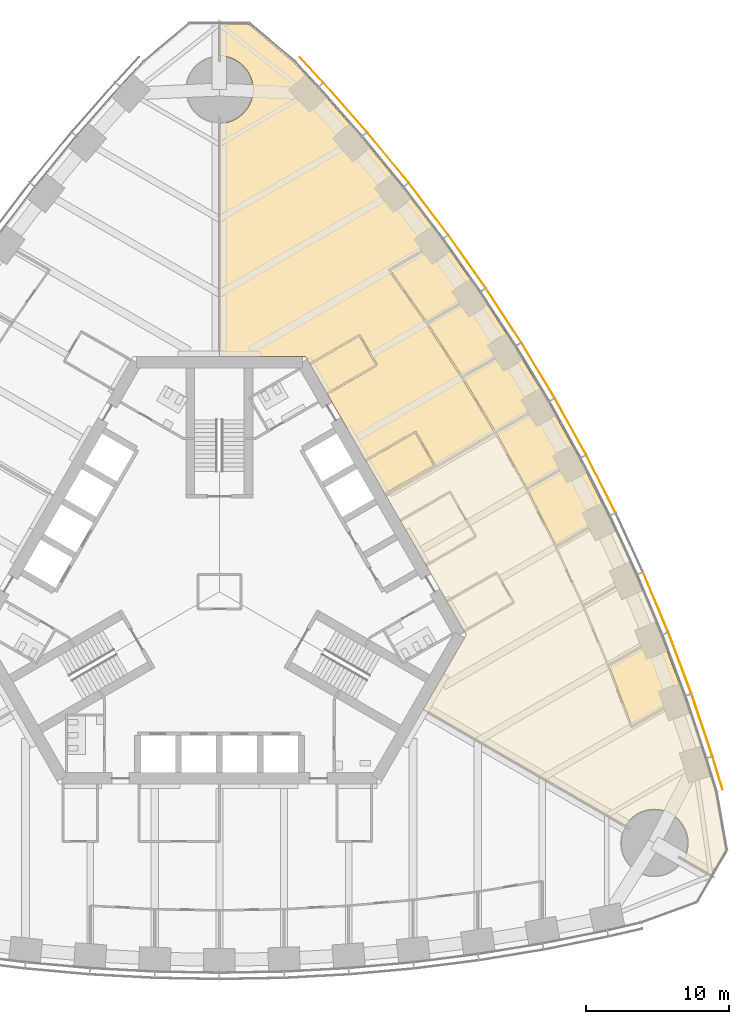
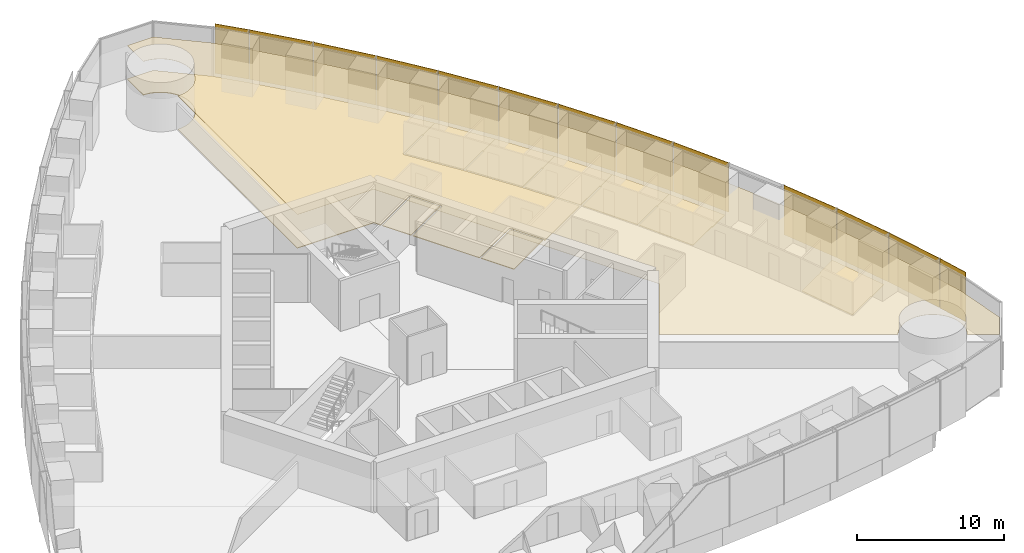
# One storey, part 17 of 19: 13 shading devices, 10 coverings.
"""IFC4 building model written with IfcOpenShell, lengths in metres."""

from ifc_helpers import new_model, si_unit, direction, frame, origin, origin_2d, place, context, subcontext, project, spatial, polyline, rectangle, outline, extrude, material, layer, layer_set, type_object, element, save


model = new_model("IFC4")

# Units and contexts
model_context = context("Model", 3, precision=1e-05, world=origin(), true_north=direction((0.0, 1.0)))
body_context = subcontext(model_context, "Body", "Model", "MODEL_VIEW")
ifc_project = project(units=[si_unit("LENGTHUNIT", "METRE"), si_unit("AREAUNIT", "SQUARE_METRE"), si_unit("VOLUMEUNIT", "CUBIC_METRE"), si_unit("PLANEANGLEUNIT", "RADIAN"), si_unit("MASSUNIT", "GRAM", prefix="KILO")], contexts=[model_context])

# Site, building, storey
site_placement = place(None, origin())
site = spatial("IfcSite", under=ifc_project, at=site_placement, CompositionType="ELEMENT")
building_placement = place(site_placement, origin())
building = spatial("IfcBuilding", under=site, at=building_placement, Name="Trefoil Bronze Tower", CompositionType="ELEMENT")
storey_placement = place(building_placement, frame((0.0, 0.0, 107.300048828125)))
storey = spatial("IfcBuildingStorey", under=building, at=storey_placement, Name="L24", CompositionType="ELEMENT", Elevation=107.300048828125)

# Shading devices
ifc_material_1 = material(Name="Perforated bronze sheet", Category="bronze")
ifc_layer_1 = layer(ifc_material_1, 0.0400390625)
ifc_layer_set_1 = layer_set([ifc_layer_1], Name="Bronze solar screen panel")
shading_device_type = type_object("IfcShadingDeviceType", Name="Bronze solar screen panel", PredefinedType="SHUTTER", material=ifc_layer_set_1)
shading_device_1_placement = place(storey_placement, frame((34.717529296875, -12.634765625, 0.0498046875), z_axis=(0.0, 0.0, 1.0), x_axis=(-0.291668676391, 0.956519410787, 0.0)))
element("IfcShadingDevice", 1, at=shading_device_1_placement, inside=storey, type_object=shading_device_type, Name="Solar screen CW-A L24 F2 bay 1", PredefinedType="SHUTTER", context=body_context, shape_type="SweptSolid", body=[
    extrude(rectangle(XDim=2.39013671875, YDim=0.0400390625, at=origin_2d()), origin(), (0.0, 0.0, 1.0), 4.10009765625),
])
shading_device_2_placement = place(storey_placement, frame((33.62890625, -9.286865234375, 0.0498046875), z_axis=(0.0, 0.0, 1.0), x_axis=(-0.318403749569, 0.947955195281, 0.0)))
element("IfcShadingDevice", 2, at=shading_device_2_placement, inside=storey, type_object=shading_device_type, Name="Solar screen CW-A L24 F2 bay 2", PredefinedType="SHUTTER", context=body_context, shape_type="SweptSolid", body=[
    extrude(rectangle(XDim=4.56103515625, YDim=0.0400390625, at=origin_2d()), origin(), (0.0, 0.0, 1.0), 4.10009765625),
])
shading_device_3_placement = place(storey_placement, frame((32.086669921875, -4.95849609375, 0.0498046875), z_axis=(0.0, 0.0, 1.0), x_axis=(-0.352919739707, 0.935653599002, 0.0)))
element("IfcShadingDevice", 3, at=shading_device_3_placement, inside=storey, type_object=shading_device_type, Name="Solar screen CW-A L24 F2 bay 3", PredefinedType="SHUTTER", context=body_context, shape_type="SweptSolid", body=[
    extrude(rectangle(XDim=4.5302734375, YDim=0.0400390625, at=origin_2d()), origin(), (0.0, 0.0, 1.0), 4.10009765625),
])
shading_device_4_placement = place(storey_placement, frame((30.3974609375, -0.715087890625, 0.0498046875), z_axis=(0.0, 0.0, 1.0), x_axis=(-0.386759234303, 0.922180727776, 0.0)))
element("IfcShadingDevice", 4, at=shading_device_4_placement, inside=storey, type_object=shading_device_type, Name="Solar screen CW-A L24 F2 bay 4", PredefinedType="SHUTTER", context=body_context, shape_type="SweptSolid", body=[
    extrude(rectangle(XDim=4.50634765625, YDim=0.0400390625, at=origin_2d()), origin(), (0.0, 0.0, 1.0), 4.10009765625),
])
shading_device_5_placement = place(storey_placement, frame((26.5869140625, 7.52197265625, 0.0498046875), z_axis=(0.0, 0.0, 1.0), x_axis=(-0.452448919686, 0.891790320128, 0.0)))
element("IfcShadingDevice", 5, at=shading_device_5_placement, inside=storey, type_object=shading_device_type, Name="Solar screen CW-A L24 F2 bay 6", PredefinedType="SHUTTER", context=body_context, shape_type="SweptSolid", body=[
    extrude(rectangle(XDim=4.4765625, YDim=0.0400390625, at=origin_2d()), origin(), (0.0, 0.0, 1.0), 4.10009765625),
])
for number, where, z_axis, x_axis, name in (
    (6, (24.468505859375, 11.517578125, 0.0498046875), (0.0, 0.0, 1.0), (-0.484312195836, 0.874895249138, 0.0), "Solar screen CW-A L24 F2 bay 7"),
    (7, (22.208740234375, 15.431396484375, 0.0498046875), (0.0, 0.0, 1.0), (-0.515525413486, 0.856874289526, 0.0), "Solar screen CW-A L24 F2 bay 8"),
):
    element("IfcShadingDevice", number, at=place(storey_placement, frame(where, z_axis=z_axis, x_axis=x_axis)), inside=storey, type_object=shading_device_type, Name=name, PredefinedType="SHUTTER", context=body_context, shape_type="SweptSolid", body=[
        extrude(rectangle(XDim=4.470703125, YDim=0.0400390625, at=origin_2d()), origin(), (0.0, 0.0, 1.0), 4.10009765625),
    ])
shading_device_6_placement = place(storey_placement, frame((19.8076171875, 19.263916015625, 0.0498046875), z_axis=(0.0, 0.0, 1.0), x_axis=(-0.546088612237, 0.837727418427, 0.0)))
element("IfcShadingDevice", 8, at=shading_device_6_placement, inside=storey, type_object=shading_device_type, Name="Solar screen CW-A L24 F2 bay 9", PredefinedType="SHUTTER", context=body_context, shape_type="SweptSolid", body=[
    extrude(rectangle(XDim=4.4765625, YDim=0.0400390625, at=origin_2d()), origin(), (0.0, 0.0, 1.0), 4.10009765625),
])
shading_device_7_placement = place(storey_placement, frame((17.264892578125, 23.014404296875, 0.0498046875), z_axis=(0.0, 0.0, 1.0), x_axis=(-0.575999283275, 0.817450197667, 0.0)))
element("IfcShadingDevice", 9, at=shading_device_7_placement, inside=storey, type_object=shading_device_type, Name="Solar screen CW-A L24 F2 bay 10", PredefinedType="SHUTTER", context=body_context, shape_type="SweptSolid", body=[
    extrude(rectangle(XDim=4.48828125, YDim=0.0400390625, at=origin_2d()), origin(), (0.0, 0.0, 1.0), 4.10009765625),
])
shading_device_8_placement = place(storey_placement, frame((14.579345703125, 26.6826171875, 0.0498046875), z_axis=(0.0, 0.0, 1.0), x_axis=(-0.605252319983, 0.796033685943, 0.0)))
element("IfcShadingDevice", 10, at=shading_device_8_placement, inside=storey, type_object=shading_device_type, Name="Solar screen CW-A L24 F2 bay 11", PredefinedType="SHUTTER", context=body_context, shape_type="SweptSolid", body=[
    extrude(rectangle(XDim=4.50634765625, YDim=0.0400390625, at=origin_2d()), origin(), (0.0, 0.0, 1.0), 4.10009765625),
])
shading_device_9_placement = place(storey_placement, frame((11.7490234375, 30.26708984375, 0.0498046875), z_axis=(0.0, 0.0, 1.0), x_axis=(-0.633839916024, 0.773464259584, 0.0)))
element("IfcShadingDevice", 11, at=shading_device_9_placement, inside=storey, type_object=shading_device_type, Name="Solar screen CW-A L24 F2 bay 12", PredefinedType="SHUTTER", context=body_context, shape_type="SweptSolid", body=[
    extrude(rectangle(XDim=4.5302734375, YDim=0.0400390625, at=origin_2d()), origin(), (0.0, 0.0, 1.0), 4.10009765625),
])
shading_device_10_placement = place(storey_placement, frame((8.77197265625, 33.766845703125, 0.0498046875), z_axis=(0.0, 0.0, 1.0), x_axis=(-0.661751405978, 0.749723333428, 0.0)))
element("IfcShadingDevice", 12, at=shading_device_10_placement, inside=storey, type_object=shading_device_type, Name="Solar screen CW-A L24 F2 bay 13", PredefinedType="SHUTTER", context=body_context, shape_type="SweptSolid", body=[
    extrude(rectangle(XDim=4.56103515625, YDim=0.0400390625, at=origin_2d()), origin(), (0.0, 0.0, 1.0), 4.10009765625),
])
shading_device_11_placement = place(storey_placement, frame((6.416748046875, 36.383544921875, 0.0498046875), z_axis=(0.0, 0.0, 1.0), x_axis=(-0.682535770759, 0.730852188636, 0.0)))
element("IfcShadingDevice", 13, at=shading_device_11_placement, inside=storey, type_object=shading_device_type, Name="Solar screen CW-A L24 F2 bay 14", PredefinedType="SHUTTER", context=body_context, shape_type="SweptSolid", body=[
    extrude(rectangle(XDim=2.39013671875, YDim=0.0400390625, at=origin_2d()), origin(), (0.0, 0.0, 1.0), 4.10009765625),
])

# Coverings
ifc_material_2 = material(Name="Acoustic ceiling panels", Category="mineral fibre")
ifc_layer_2 = layer(ifc_material_2, 0.02001953125)
ifc_layer_set_2 = layer_set([ifc_layer_2], Name="Office ceiling 20")
covering_type_1 = type_object("IfcCoveringType", Name="Office ceiling 20", PredefinedType="CEILING", material=ifc_layer_set_2)
covering_1_placement = place(storey_placement, frame((0.0, 0.0, 2.89990234375)))
element("IfcCovering", 14, at=covering_1_placement, inside=storey, type_object=covering_type_1, Name="Ceiling L24 Open support area F2", PredefinedType="CEILING", context=body_context, shape_type="SweptSolid", body=[
    extrude(outline(polyline([(6.847900390625, 35.130615234375), (9.885986328125, 31.6884765625), (12.776611328125, 28.1611328125), (15.522216796875, 24.55029296875), (18.124755859375, 20.856689453125), (20.585693359375, 17.081298828125), (22.906005859375, 13.224853515625), (25.085693359375, 9.287109375), (27.124755859375, 5.268310546875), (29.022216796875, 1.16748046875), (30.776611328125, -3.015625), (32.385986328125, -7.28271484375), (33.847900390625, -11.634765625), (34.5537109375, -13.94970703125), (35.2666015625, -17.99169921875), (34.247802734375, -19.755859375), (32.352294921875, -18.66259765625), (32.38330078125, -18.60791015625), (32.435302734375, -18.5048828125), (32.48193359375, -18.3994140625), (32.5234375, -18.291748046875), (32.559814453125, -18.18212890625), (32.590576171875, -18.071044921875), (32.61572265625, -17.95849609375), (32.635498046875, -17.8447265625), (32.649658203125, -17.730224609375), (32.658203125, -17.615234375), (32.660888671875, -17.5), (32.658203125, -17.384765625), (32.649658203125, -17.269775390625), (32.635498046875, -17.1552734375), (32.61572265625, -17.04150390625), (32.590576171875, -16.928955078125), (32.559814453125, -16.81787109375), (32.5234375, -16.708251953125), (32.48193359375, -16.6005859375), (32.435302734375, -16.4951171875), (32.38330078125, -16.39208984375), (32.32666015625, -16.2919921875), (32.264892578125, -16.1943359375), (32.198486328125, -16.10009765625), (32.12744140625, -16.00927734375), (32.052001953125, -15.921875), (31.97265625, -15.83837890625), (31.88916015625, -15.7587890625), (31.8017578125, -15.683349609375), (31.710693359375, -15.612548828125), (31.616455078125, -15.5458984375), (31.51904296875, -15.484375), (31.418701171875, -15.427490234375), (31.315673828125, -15.37548828125), (31.210205078125, -15.328857421875), (31.1025390625, -15.287353515625), (30.9931640625, -15.251220703125), (30.8818359375, -15.220458984375), (30.769287109375, -15.1953125), (30.65576171875, -15.17529296875), (30.541259765625, -15.161376953125), (30.42626953125, -15.15283203125), (30.310791015625, -15.14990234375), (30.195556640625, -15.15283203125), (30.08056640625, -15.161376953125), (29.966064453125, -15.17529296875), (29.852294921875, -15.1953125), (29.739990234375, -15.220458984375), (29.628662109375, -15.251220703125), (29.519287109375, -15.287353515625), (29.41162109375, -15.328857421875), (29.30615234375, -15.37548828125), (29.203125, -15.427490234375), (29.102783203125, -15.484375), (29.00537109375, -15.5458984375), (28.910888671875, -15.612548828125), (28.820068359375, -15.683349609375), (28.732666015625, -15.7587890625), (28.649169921875, -15.83837890625), (28.569580078125, -15.921875), (28.494384765625, -16.00927734375), (28.42333984375, -16.10009765625), (28.35693359375, -16.1943359375), (28.295166015625, -16.2919921875), (28.2822265625, -16.314697265625), (14.205810546875, -8.194580078125), (17.205078125, -3.0), (6.00439453125, 16.39990234375), (0.006103515625, 16.39990234375), (0.01220703125, 32.650390625), (0.115234375, 32.65283203125), (0.230224609375, 32.661376953125), (0.3447265625, 32.67529296875), (0.45849609375, 32.6953125), (0.571044921875, 32.720458984375), (0.68212890625, 32.751220703125), (0.791748046875, 32.787353515625), (0.8994140625, 32.828857421875), (1.0048828125, 32.87548828125), (1.10791015625, 32.927490234375), (1.2080078125, 32.984375), (1.3056640625, 33.0458984375), (1.39990234375, 33.112548828125), (1.49072265625, 33.183349609375), (1.578125, 33.2587890625), (1.66162109375, 33.33837890625), (1.7412109375, 33.421875), (1.816650390625, 33.50927734375), (1.887451171875, 33.60009765625), (1.9541015625, 33.6943359375), (2.015625, 33.7919921875), (2.072509765625, 33.89208984375), (2.12451171875, 33.9951171875), (2.171142578125, 34.1005859375), (2.212646484375, 34.208251953125), (2.248779296875, 34.31787109375), (2.279541015625, 34.428955078125), (2.3046875, 34.54150390625), (2.32470703125, 34.6552734375), (2.338623046875, 34.769775390625), (2.34716796875, 34.884765625), (2.35009765625, 35.0), (2.34716796875, 35.115234375), (2.338623046875, 35.230224609375), (2.32470703125, 35.3447265625), (2.3046875, 35.45849609375), (2.279541015625, 35.571044921875), (2.248779296875, 35.68212890625), (2.212646484375, 35.791748046875), (2.171142578125, 35.8994140625), (2.12451171875, 36.0048828125), (2.072509765625, 36.10791015625), (2.015625, 36.2080078125), (1.9541015625, 36.3056640625), (1.887451171875, 36.39990234375), (1.816650390625, 36.49072265625), (1.7412109375, 36.578125), (1.66162109375, 36.66162109375), (1.578125, 36.7412109375), (1.49072265625, 36.816650390625), (1.39990234375, 36.887451171875), (1.3056640625, 36.9541015625), (1.2080078125, 37.015625), (1.10791015625, 37.072509765625), (1.0048828125, 37.12451171875), (0.8994140625, 37.171142578125), (0.791748046875, 37.212646484375), (0.68212890625, 37.248779296875), (0.571044921875, 37.279541015625), (0.45849609375, 37.3046875), (0.3447265625, 37.32470703125), (0.230224609375, 37.338623046875), (0.115234375, 37.34716796875), (0.013916015625, 37.349609375), (0.014892578125, 39.53759765625), (2.052001953125, 39.53759765625), (5.1962890625, 36.8994140625), (6.847900390625, 35.130615234375)])), origin(), (0.0, 0.0, 1.0), 0.02001953125),
])
ifc_material_3 = material(Name="Raised access floor panels", Category="steel")
ifc_layer_3 = layer(ifc_material_3, 0.050048828125)
ifc_layer_set_3 = layer_set([ifc_layer_3], Name="Raised access floor 150")
covering_type_2 = type_object("IfcCoveringType", Name="Raised access floor 150", PredefinedType="FLOORING", material=ifc_layer_set_3)
covering_2_placement = place(storey_placement, frame((0.0, 0.0, 0.099853515625)))
element("IfcCovering", 15, at=covering_2_placement, inside=storey, type_object=covering_type_2, Name="Raised floor L24 Pantry F2", PredefinedType="FLOORING", context=body_context, shape_type="SweptSolid", body=[
    extrude(outline(polyline([(10.22216796875, 9.094482421875), (13.634521484375, 11.064697265625), (14.92431640625, 8.830078125), (11.51220703125, 6.860107421875), (10.22216796875, 9.094482421875)])), origin(), (0.0, 0.0, 1.0), 0.050048828125),
])
covering_3_placement = place(storey_placement, frame((0.0, 0.0, 0.099853515625)))
element("IfcCovering", 16, at=covering_3_placement, inside=storey, type_object=covering_type_2, Name="Raised floor L24 Print and store room F2", PredefinedType="FLOORING", context=body_context, shape_type="SweptSolid", body=[
    extrude(outline(polyline([(6.334716796875, 15.827880859375), (9.746826171875, 17.7978515625), (10.886962890625, 15.823486328125), (7.474609375, 13.853515625), (6.334716796875, 15.827880859375)])), origin(), (0.0, 0.0, 1.0), 0.050048828125),
])
covering_4_placement = place(storey_placement, frame((0.0, 0.0, 0.099853515625)))
element("IfcCovering", 17, at=covering_4_placement, inside=storey, type_object=covering_type_2, Name="Raised floor L24 Office F2", PredefinedType="FLOORING", context=body_context, shape_type="SweptSolid", body=[
    extrude(outline(polyline([(18.124755859375, 20.856689453125), (16.709716796875, 20.03955078125), (16.6796875, 20.091552734375), (14.461669921875, 18.81103515625), (11.928466796875, 22.406005859375), (14.13232421875, 23.678466796875), (14.102294921875, 23.73046875), (15.522216796875, 24.55029296875), (18.124755859375, 20.856689453125)])), origin(), (0.0, 0.0, 1.0), 0.050048828125),
])
covering_5_placement = place(storey_placement, frame((0.0, 0.0, 0.099853515625)))
element("IfcCovering", 18, at=covering_5_placement, inside=storey, type_object=covering_type_2, Name="Raised floor L24 Office F2", PredefinedType="FLOORING", context=body_context, shape_type="SweptSolid", body=[
    extrude(outline(polyline([(20.585693359375, 17.081298828125), (19.17333984375, 16.265869140625), (19.143310546875, 16.31787109375), (16.924560546875, 15.036865234375), (14.529052734375, 18.71142578125), (16.739501953125, 19.987548828125), (16.709716796875, 20.03955078125), (18.124755859375, 20.856689453125), (20.585693359375, 17.081298828125)])), origin(), (0.0, 0.0, 1.0), 0.050048828125),
])
covering_6_placement = place(storey_placement, frame((0.0, 0.0, 0.099853515625)))
element("IfcCovering", 19, at=covering_6_placement, inside=storey, type_object=covering_type_2, Name="Raised floor L24 Office F2", PredefinedType="FLOORING", context=body_context, shape_type="SweptSolid", body=[
    extrude(outline(polyline([(20.585693359375, 17.081298828125), (22.906005859375, 13.224853515625), (21.494384765625, 12.409912109375), (21.45703125, 12.474853515625), (19.23876953125, 11.194091796875), (16.988037109375, 14.93505859375), (19.203369140625, 16.2138671875), (19.17333984375, 16.265869140625), (20.585693359375, 17.081298828125)])), origin(), (0.0, 0.0, 1.0), 0.050048828125),
])
covering_7_placement = place(storey_placement, frame((0.0, 0.0, 0.099853515625)))
element("IfcCovering", 20, at=covering_7_placement, inside=storey, type_object=covering_type_2, Name="Raised floor L24 Office F2", PredefinedType="FLOORING", context=body_context, shape_type="SweptSolid", body=[
    extrude(outline(polyline([(22.906005859375, 13.224853515625), (25.085693359375, 9.287109375), (23.67333984375, 8.4716796875), (23.643310546875, 8.523681640625), (21.427978515625, 7.24462890625), (19.313720703125, 11.064208984375), (21.531982421875, 12.344970703125), (21.494384765625, 12.409912109375), (22.906005859375, 13.224853515625)])), origin(), (0.0, 0.0, 1.0), 0.050048828125),
])
covering_8_placement = place(storey_placement, frame((0.0, 0.0, 0.099853515625)))
element("IfcCovering", 21, at=covering_8_placement, inside=storey, type_object=covering_type_2, Name="Raised floor L24 Office F2", PredefinedType="FLOORING", context=body_context, shape_type="SweptSolid", body=[
    extrude(outline(polyline([(25.085693359375, 9.287109375), (27.124755859375, 5.268310546875), (25.709716796875, 4.451171875), (25.6796875, 4.503173828125), (23.468994140625, 3.226806640625), (21.484619140625, 7.138671875), (23.703369140625, 8.419677734375), (23.67333984375, 8.4716796875), (25.085693359375, 9.287109375)])), origin(), (0.0, 0.0, 1.0), 0.050048828125),
])
covering_9_placement = place(storey_placement, frame((0.0, 0.0, 0.099853515625)))
element("IfcCovering", 22, at=covering_9_placement, inside=storey, type_object=covering_type_2, Name="Raised floor L24 Office F2", PredefinedType="FLOORING", context=body_context, shape_type="SweptSolid", body=[
    extrude(outline(polyline([(30.776611328125, -3.015625), (32.385986328125, -7.28271484375), (30.951171875, -8.111083984375), (30.921142578125, -8.05908203125), (28.73681640625, -9.3203125), (27.170166015625, -5.167236328125), (29.38037109375, -3.89111328125), (29.350341796875, -3.839111328125), (30.776611328125, -3.015625)])), origin(), (0.0, 0.0, 1.0), 0.050048828125),
])
covering_10_placement = place(storey_placement, frame((0.0, 0.0, 0.099853515625)))
element("IfcCovering", 23, at=covering_10_placement, inside=storey, type_object=covering_type_2, Name="Raised floor L24 Open support area F2", PredefinedType="FLOORING", context=body_context, shape_type="SweptSolid", body=[
    extrude(outline(polyline([(5.1962890625, 36.8994140625), (6.847900390625, 35.130615234375), (9.885986328125, 31.6884765625), (12.776611328125, 28.1611328125), (15.522216796875, 24.55029296875), (14.102294921875, 23.73046875), (14.072509765625, 23.782470703125), (11.811767578125, 22.477294921875), (11.841796875, 22.42529296875), (11.79248046875, 22.390625), (14.39453125, 18.697998046875), (16.8544921875, 14.924560546875), (19.134765625, 11.134033203125), (15.03125, 8.764892578125), (15.00634765625, 8.808349609375), (15.058349609375, 8.83837890625), (13.708251953125, 11.176513671875), (13.65625, 11.146484375), (13.626220703125, 11.198486328125), (10.162109375, 9.198486328125), (7.53466796875, 13.74951171875), (10.998779296875, 15.74951171875), (10.96875, 15.801513671875), (11.020751953125, 15.831298828125), (9.82080078125, 17.909912109375), (9.768798828125, 17.8798828125), (9.73876953125, 17.931884765625), (6.274658203125, 15.931884765625), (6.00439453125, 16.39990234375), (0.006103515625, 16.39990234375), (0.01220703125, 32.650390625), (0.115234375, 32.65283203125), (0.230224609375, 32.661376953125), (0.3447265625, 32.67529296875), (0.45849609375, 32.6953125), (0.571044921875, 32.720458984375), (0.68212890625, 32.751220703125), (0.791748046875, 32.787353515625), (0.8994140625, 32.828857421875), (1.0048828125, 32.87548828125), (1.10791015625, 32.927490234375), (1.2080078125, 32.984375), (1.3056640625, 33.0458984375), (1.39990234375, 33.112548828125), (1.49072265625, 33.183349609375), (1.578125, 33.2587890625), (1.66162109375, 33.33837890625), (1.7412109375, 33.421875), (1.816650390625, 33.50927734375), (1.887451171875, 33.60009765625), (1.9541015625, 33.6943359375), (2.015625, 33.7919921875), (2.072509765625, 33.89208984375), (2.12451171875, 33.9951171875), (2.171142578125, 34.1005859375), (2.212646484375, 34.208251953125), (2.248779296875, 34.31787109375), (2.279541015625, 34.428955078125), (2.3046875, 34.54150390625), (2.32470703125, 34.6552734375), (2.338623046875, 34.769775390625), (2.34716796875, 34.884765625), (2.35009765625, 35.0), (2.34716796875, 35.115234375), (2.338623046875, 35.230224609375), (2.32470703125, 35.3447265625), (2.3046875, 35.45849609375), (2.279541015625, 35.571044921875), (2.248779296875, 35.68212890625), (2.212646484375, 35.791748046875), (2.171142578125, 35.8994140625), (2.12451171875, 36.0048828125), (2.072509765625, 36.10791015625), (2.015625, 36.2080078125), (1.9541015625, 36.3056640625), (1.887451171875, 36.39990234375), (1.816650390625, 36.49072265625), (1.7412109375, 36.578125), (1.66162109375, 36.66162109375), (1.578125, 36.7412109375), (1.49072265625, 36.816650390625), (1.39990234375, 36.887451171875), (1.3056640625, 36.9541015625), (1.2080078125, 37.015625), (1.10791015625, 37.072509765625), (1.0048828125, 37.12451171875), (0.8994140625, 37.171142578125), (0.791748046875, 37.212646484375), (0.68212890625, 37.248779296875), (0.571044921875, 37.279541015625), (0.45849609375, 37.3046875), (0.3447265625, 37.32470703125), (0.230224609375, 37.338623046875), (0.115234375, 37.34716796875), (0.013916015625, 37.349609375), (0.014892578125, 39.53759765625), (2.052001953125, 39.53759765625), (5.1962890625, 36.8994140625)])), origin(), (0.0, 0.0, 1.0), 0.050048828125),
])

save(model, "model.ifc")
